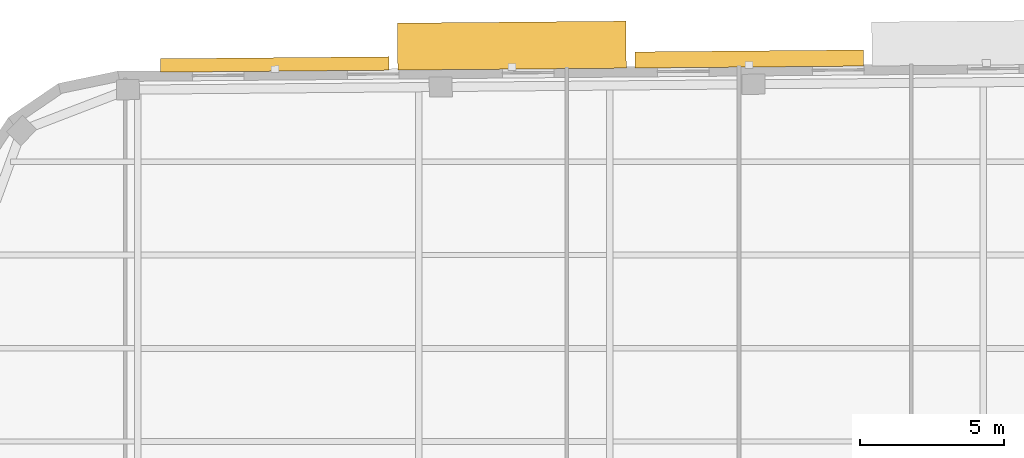
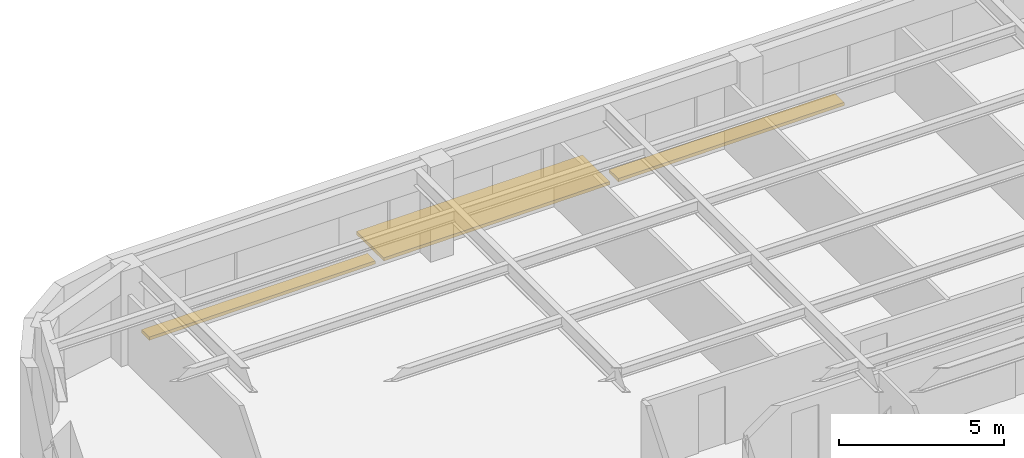
# One storey, part 13 of 14: 3 shading devices.
"""IFC4 building model written with IfcOpenShell, lengths in metres."""

from ifc_helpers import new_model, si_unit, direction, frame, origin, origin_2d, place, context, subcontext, project, spatial, rectangle, extrude, material, type_object, element, save


model = new_model("IFC4")

# Units and contexts
model_context = context("Model", 3, precision=1e-05, world=origin(), true_north=direction((0.0, 1.0)))
body_context = subcontext(model_context, "Body", "Model", "MODEL_VIEW")
ifc_project = project(units=[si_unit("LENGTHUNIT", "METRE"), si_unit("AREAUNIT", "SQUARE_METRE"), si_unit("VOLUMEUNIT", "CUBIC_METRE"), si_unit("PLANEANGLEUNIT", "RADIAN"), si_unit("MASSUNIT", "GRAM", prefix="KILO")], contexts=[model_context])

# Site, building, storey
site_placement = place(None, origin())
site = spatial("IfcSite", under=ifc_project, at=site_placement, CompositionType="ELEMENT")
building_placement = place(site_placement, origin())
building = spatial("IfcBuilding", under=site, at=building_placement, Name="Kolvaren Arena Tower", CompositionType="ELEMENT")
storey_placement = place(building_placement, frame((0.0, 0.0, 308.64990234375)))
storey = spatial("IfcBuildingStorey", under=building, at=storey_placement, Name="L76", CompositionType="ELEMENT", Elevation=308.64990234375)

# Shading devices
ifc_material = material(Name="Architectural precast GFRC and anodised aluminium sunshade", Category="concrete")
shading_device_type_1 = type_object("IfcShadingDeviceType", Name="SHAD-SINE-A", PredefinedType="USERDEFINED", material=ifc_material)
shading_device_1_placement = place(storey_placement, frame((19.332275390625, 51.88818359375, -0.139892578125), z_axis=(0.0, 0.0, 1.0), x_axis=(0.999961923064, 0.008726535498, 0.0)))
element("IfcShadingDevice", 1, at=shading_device_1_placement, inside=storey, type_object=shading_device_type_1, Name="Sinusoidal Slab-Edge Sunshade Louvre (L76)", ObjectType="LOUVRE", PredefinedType="USERDEFINED", context=body_context, shape_type="SweptSolid", body=[
    extrude(rectangle(XDim=7.9599609375, YDim=0.468994140625, at=origin_2d()), origin(), (0.0, 0.0, 1.0), 0.1201171875),
])
shading_device_2_placement = place(storey_placement, frame((35.851318359375, 52.078857421875, -0.139892578125), z_axis=(0.0, 0.0, 1.0), x_axis=(0.999961923064, 0.008726535498, 0.0)))
element("IfcShadingDevice", 2, at=shading_device_2_placement, inside=storey, type_object=shading_device_type_1, Name="Sinusoidal Slab-Edge Sunshade Louvre (L76)", ObjectType="LOUVRE", PredefinedType="USERDEFINED", context=body_context, shape_type="SweptSolid", body=[
    extrude(rectangle(XDim=7.9599609375, YDim=0.562255859375, at=origin_2d()), origin(), (0.0, 0.0, 1.0), 0.1201171875),
])
shading_device_type_2 = type_object("IfcShadingDeviceType", Name="SHAD-SINE-B", PredefinedType="JALOUSIE", material=ifc_material)
shading_device_3_placement = place(storey_placement, frame((27.5869140625, 52.544189453125, -0.139892578125), z_axis=(0.0, 0.0, 1.0), x_axis=(0.999961923064, 0.008726535498, 0.0)))
element("IfcShadingDevice", 3, at=shading_device_3_placement, inside=storey, type_object=shading_device_type_2, Name="Sinusoidal Slab-Edge Sunshade Louvre (L76)", PredefinedType="JALOUSIE", context=body_context, shape_type="SweptSolid", body=[
    extrude(rectangle(XDim=7.9599609375, YDim=1.63720703125, at=origin_2d()), origin(), (0.0, 0.0, 1.0), 0.1201171875),
])

save(model, "model.ifc")
